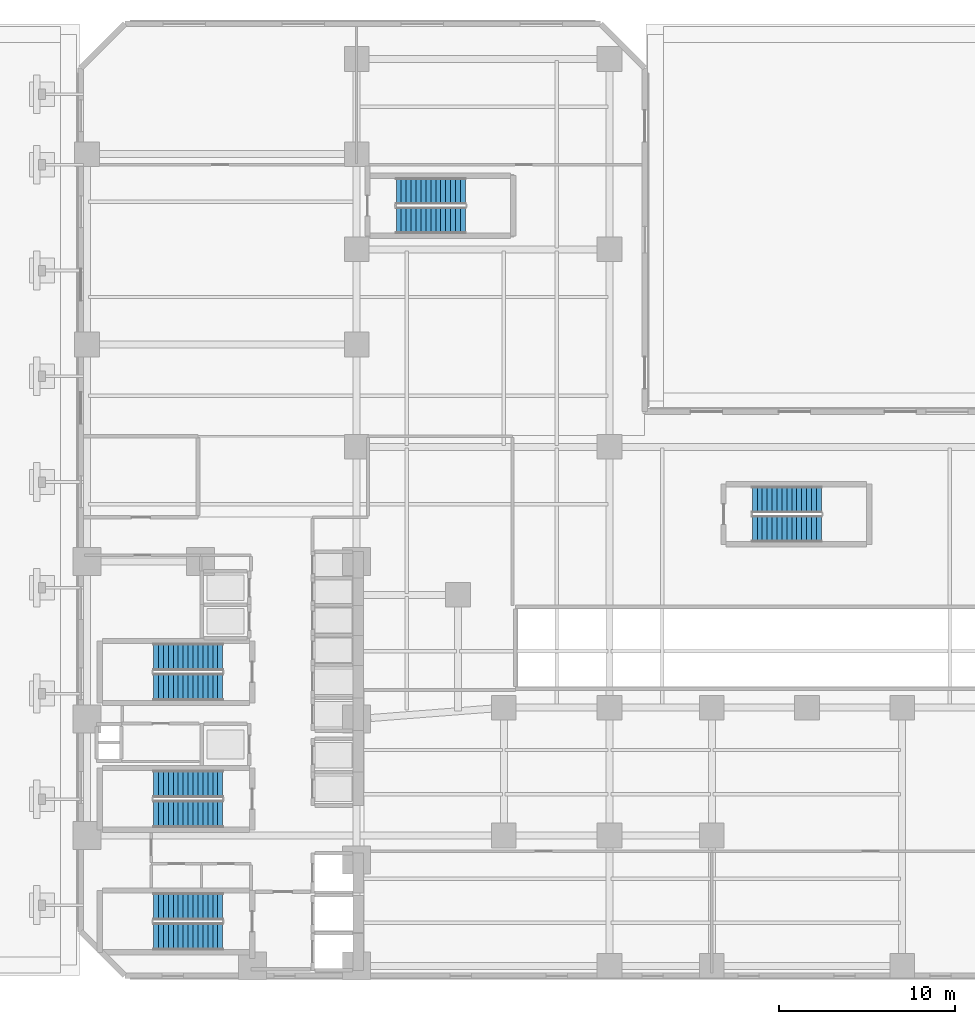
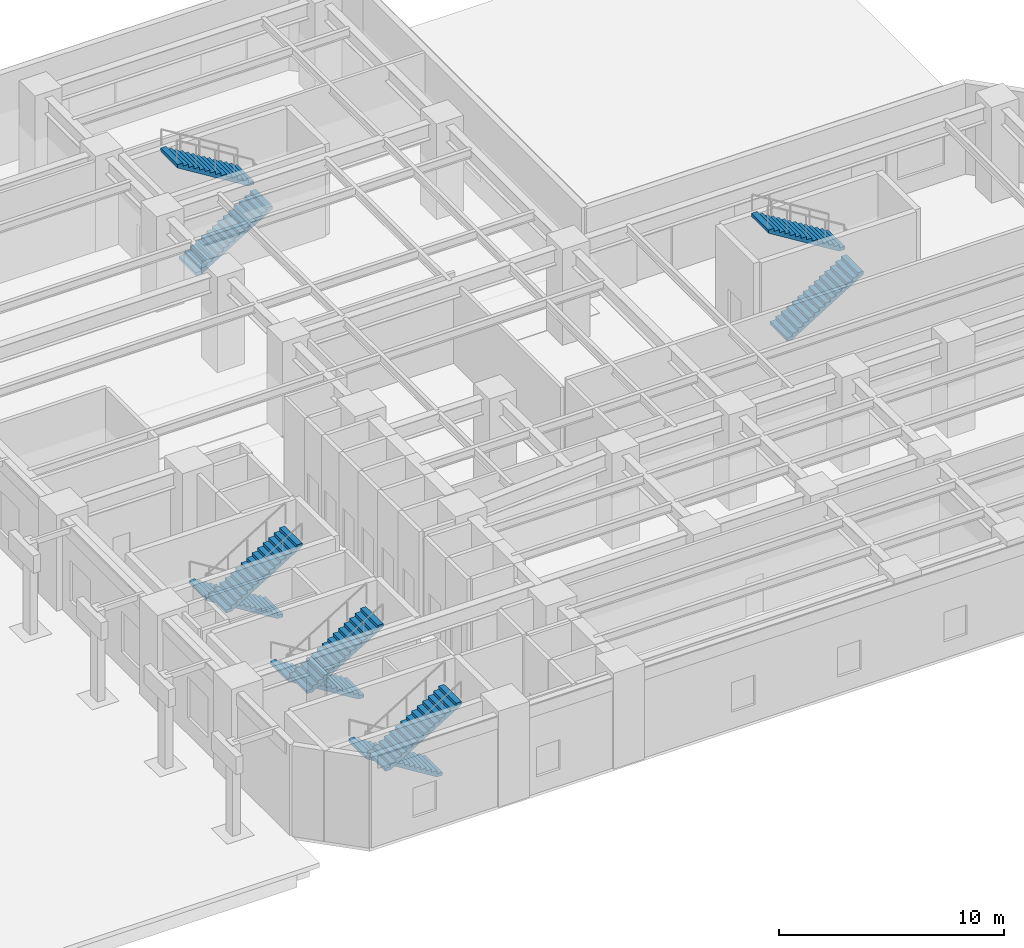
# One storey, part 7 of 14: 10 stair flights, 5 elements without a shape of their own.
"""IFC4 building model written with IfcOpenShell, lengths in metres."""

import ifcopenshell
import ifcopenshell.guid

model = None  # the IFC model being written
_history = None  # IfcOwnerHistory: only IFC2X3 demands one
_inside = {}  # id of a spatial element -> (the spatial element, [elements in it])
_under = {}  # id of a project, library or spatial element -> (it, [spatial elements below it])
_declared = {}  # id of a project -> (the project, [libraries it declares])
_typed = {}  # id of a type object -> (the type object, [elements of that type])
_made_of = {}  # id of a material, layer set ... -> (it, [elements and type objects made of it])


def new_model(schema):
    """Start an empty IFC model of exactly this schema.

    Asked for "IFC4X3", IfcOpenShell would pick the latest addendum, in which some entities
    have other attributes; the version numbers below select the first issue.
    IFC2X3 requires an IfcOwnerHistory on every rooted entity: one is made here for all.
    """
    global model, _history
    if schema == "IFC4X3":
        model = ifcopenshell.file(schema_version=(4, 3, 0, 0))
    else:
        model = ifcopenshell.file(schema=schema)
    _inside.clear()
    _under.clear()
    _declared.clear()
    _typed.clear()
    _made_of.clear()
    _history = None
    if model.schema == "IFC2X3":
        org = make("IfcOrganization", Name="unknown")
        user = make(
            "IfcPersonAndOrganization",
            ThePerson=make("IfcPerson", FamilyName="unknown"),
            TheOrganization=org,
        )
        app = make(
            "IfcApplication",
            ApplicationDeveloper=org,
            Version="unknown",
            ApplicationFullName="unknown",
            ApplicationIdentifier="unknown",
        )
        _history = make(
            "IfcOwnerHistory",
            OwningUser=user,
            OwningApplication=app,
            ChangeAction="ADDED",
            CreationDate=0,
        )
    return model


def make(cls, **values):
    """One entity of the class cls with the attributes given. An attribute that is None is left unset."""
    return model.create_entity(
        cls, **{name: value for name, value in values.items() if value is not None}
    )


def rooted(cls, **values):
    """An entity with a GlobalId (a new one), such as an element, a storey or a relation."""
    return make(cls, GlobalId=ifcopenshell.guid.new(), OwnerHistory=_history, **values)


def si_unit(unit_type, name, prefix=None):
    """IfcSIUnit, for example si_unit("LENGTHUNIT", "METRE", prefix="MILLI")."""
    return make("IfcSIUnit", UnitType=unit_type, Prefix=prefix, Name=name)


def assignment(units):
    """IfcUnitAssignment: the units of a project."""
    return None if units is None else make("IfcUnitAssignment", Units=units)


def point(xyz):
    """IfcCartesianPoint."""
    return None if xyz is None else make("IfcCartesianPoint", Coordinates=xyz)


def direction(xyz):
    """IfcDirection."""
    return None if xyz is None else make("IfcDirection", DirectionRatios=xyz)


def frame(location, z_axis=None, x_axis=None):
    """IfcAxis2Placement3D, a coordinate frame: its origin and axes. An axis left out is left unset."""
    return make(
        "IfcAxis2Placement3D",
        Location=point(location),
        Axis=direction(z_axis),
        RefDirection=direction(x_axis),
    )


def origin():
    """The frame at (0, 0, 0) with its axes left unset."""
    return frame((0.0, 0.0, 0.0))


def place(relative_to, where):
    """IfcLocalPlacement: puts the frame where relative to a parent placement (None: the world)."""
    return make(
        "IfcLocalPlacement", PlacementRelTo=relative_to, RelativePlacement=where
    )


def context(
    kind, dimensions, precision=None, world=None, true_north=None, identifier=None
):
    """IfcGeometricRepresentationContext, for example the 3D "Model" context."""
    return make(
        "IfcGeometricRepresentationContext",
        ContextIdentifier=identifier,
        ContextType=kind,
        CoordinateSpaceDimension=dimensions,
        Precision=precision,
        WorldCoordinateSystem=world,
        TrueNorth=true_north,
    )


def subcontext(parent, identifier, kind, view, scale=None):
    """IfcGeometricRepresentationSubContext, for example "Body" below "Model"."""
    return make(
        "IfcGeometricRepresentationSubContext",
        ContextIdentifier=identifier,
        ContextType=kind,
        ParentContext=parent,
        TargetScale=scale,
        TargetView=view,
    )


def project(units=None, contexts=None):
    """IfcProject with its units and contexts."""
    return rooted(
        "IfcProject",
        Name="project",
        RepresentationContexts=contexts,
        UnitsInContext=assignment(units),
    )


def spatial(cls, under=None, at=None, **own):
    """A site, building, storey or space (cls), placed at a placement, below another one or the project."""
    s = rooted(cls, ObjectPlacement=at, **own)
    if under is not None:
        _under.setdefault(under.id(), (under, []))[1].append(s)
    return s


def polyline(points):
    """IfcPolyline through the points."""
    return make("IfcPolyline", Points=[point(p) for p in points])


def outline(outer, holes=None, kind="AREA"):
    """IfcArbitraryClosedProfileDef: a profile drawn as a closed curve; with holes, ...WithVoids."""
    if holes is None:
        return make("IfcArbitraryClosedProfileDef", ProfileType=kind, OuterCurve=outer)
    return make(
        "IfcArbitraryProfileDefWithVoids",
        ProfileType=kind,
        OuterCurve=outer,
        InnerCurves=holes,
    )


def extrude(swept, where, along, depth):
    """IfcExtrudedAreaSolid: the profile swept, set in the frame where, extruded along a direction by depth."""
    return make(
        "IfcExtrudedAreaSolid",
        SweptArea=swept,
        Position=where,
        ExtrudedDirection=direction(along),
        Depth=depth,
    )


def shape(context_of_items, identifier, shape_type, items):
    """IfcShapeRepresentation: the items that make up one representation, for example the "Body"."""
    return make(
        "IfcShapeRepresentation",
        ContextOfItems=context_of_items,
        RepresentationIdentifier=identifier,
        RepresentationType=shape_type,
        Items=items,
    )


def material(Name=None, Category=None):
    """IfcMaterial."""
    return make("IfcMaterial", Name=Name, Category=Category)


def made_of(thing, what):
    """Note that an element or type object is made of a material, layer set ...; save() writes the relation."""
    if what is not None:
        _made_of.setdefault(what.id(), (what, []))[1].append(thing)
    return thing


def type_object(cls, material=None, **own):
    """A type object (cls), such as IfcWallType, which elements share."""
    return made_of(rooted(cls, **own), material)


def element(
    cls,
    number,
    at=None,
    inside=None,
    cuts=None,
    type_object=None,
    material=None,
    context=None,
    identifier="Body",
    shape_type=None,
    held_by="IfcProductDefinitionShape",
    body=None,
    shapes=None,
    **own,
):
    """One element of the class cls, such as IfcWall. Its Tag is "e" and its number.

    at: its placement. inside: the storey or other place that contains it. cuts: it is an
    opening in that element (IfcRelVoidsElement). A single representation is given by context,
    identifier, shape_type and body (its items); several are given by shapes. held_by: the class
    of the entity that holds the representations. save() writes the other relations.
    """
    e = rooted(cls, Tag="e%d" % number, ObjectPlacement=at, **own)
    if body is not None:
        shapes = [shape(context, identifier, shape_type, body)]
    if shapes is not None:
        e.Representation = make(held_by, Representations=shapes)
    if inside is not None:
        _inside.setdefault(inside.id(), (inside, []))[1].append(e)
    if cuts is not None:
        rooted(
            "IfcRelVoidsElement", RelatingBuildingElement=cuts, RelatedOpeningElement=e
        )
    if type_object is not None:
        _typed.setdefault(type_object.id(), (type_object, []))[1].append(e)
    return made_of(e, material)


def aggregate(whole, parts):
    """IfcRelAggregates: a whole, such as a stair, and the parts it consists of."""
    return rooted("IfcRelAggregates", RelatingObject=whole, RelatedObjects=parts)


def save(model, path):
    """Write the relations noted so far, then the file.

    IfcRelAggregates (storeys below a building ...), IfcRelContainedInSpatialStructure (elements
    in a storey), IfcRelDefinesByType, IfcRelAssociatesMaterial and IfcRelDeclares: one each for
    every whole, place, type object, material and project.
    """
    for whole, parts in _under.values():
        aggregate(whole, parts)
    for where, things in _inside.values():
        rooted(
            "IfcRelContainedInSpatialStructure",
            RelatedElements=things,
            RelatingStructure=where,
        )
    for kind, things in _typed.values():
        rooted("IfcRelDefinesByType", RelatedObjects=things, RelatingType=kind)
    for what, things in _made_of.values():
        rooted("IfcRelAssociatesMaterial", RelatedObjects=things, RelatingMaterial=what)
    for by, libraries in _declared.values():
        rooted("IfcRelDeclares", RelatingContext=by, RelatedDefinitions=libraries)
    model.write(path)


model = new_model("IFC4")

# Units and contexts
model_context = context("Model", 3, precision=1e-05, world=origin(), true_north=direction((0.0, 1.0)))
body_context = subcontext(model_context, "Body", "Model", "MODEL_VIEW")
ifc_project = project(units=[si_unit("LENGTHUNIT", "METRE"), si_unit("AREAUNIT", "SQUARE_METRE"), si_unit("VOLUMEUNIT", "CUBIC_METRE"), si_unit("PLANEANGLEUNIT", "RADIAN"), si_unit("MASSUNIT", "GRAM", prefix="KILO")], contexts=[model_context])

# Site, building, storey
site_placement = place(None, origin())
site = spatial("IfcSite", under=ifc_project, at=site_placement, CompositionType="ELEMENT")
building_placement = place(site_placement, origin())
building = spatial("IfcBuilding", under=site, at=building_placement, Name="Mawjaban Terraces University", CompositionType="ELEMENT")
storey_placement = place(building_placement, origin())
storey = spatial("IfcBuildingStorey", under=building, at=storey_placement, Name="L00", CompositionType="ELEMENT", Elevation=0.0)

# Stair, stair flights
ifc_material = material(Name="Concrete C40/50", Category="concrete")
stair_type_1 = type_object("IfcStairType", Name="Stair_Core1550_H52", PredefinedType="HALF_TURN_STAIR", material=ifc_material)
stair_1_placement = place(storey_placement, origin())
stair_1 = element("IfcStair", 1, at=stair_1_placement, inside=storey, type_object=stair_type_1, Name="L00 Core Exit Stair 1", PredefinedType="HALF_TURN_STAIR")
stair_flight_type_1 = type_object("IfcStairFlightType", Name="Flight_Core1550_H52", PredefinedType="STRAIGHT", material=ifc_material)
stair_flight_1_placement = place(storey_placement, frame((30.050048828125, 3.925048828125, 0.0), z_axis=(0.0, 0.0, 1.0), x_axis=(-1.0, 0.0, 0.0)))
stair_flight_1 = element("IfcStairFlight", 2, at=stair_flight_1_placement, type_object=stair_flight_type_1, Name="ST-1 flight 1", NumberOfRisers=15, NumberOfTreads=14, PredefinedType="STRAIGHT", RiserHeight=0.173333333, TreadLength=0.28, context=body_context, shape_type="SweptSolid", body=[
    extrude(outline(polyline([(0.0, 0.0), (0.0, 0.17333984375), (0.280029296875, 0.17333984375), (0.280029296875, 0.3466796875), (0.56005859375, 0.3466796875), (0.56005859375, 0.52001953125), (0.840087890625, 0.52001953125), (0.840087890625, 0.693359375), (1.1201171875, 0.693359375), (1.1201171875, 0.86669921875), (1.39990234375, 0.86669921875), (1.39990234375, 1.0400390625), (1.679931640625, 1.0400390625), (1.679931640625, 1.21337890625), (1.9599609375, 1.21337890625), (1.9599609375, 1.38671875), (2.239990234375, 1.38671875), (2.239990234375, 1.56005859375), (2.52001953125, 1.56005859375), (2.52001953125, 1.7333984375), (2.800048828125, 1.7333984375), (2.800048828125, 1.90673828125), (3.080078125, 1.90673828125), (3.080078125, 2.080078125), (3.360107421875, 2.080078125), (3.360107421875, 2.25341796875), (3.639892578125, 2.25341796875), (3.639892578125, 2.4267578125), (3.919921875, 2.4267578125), (3.919921875, 2.60009765625), (3.919921875, 2.250244140625), (0.284912109375, 0.0), (0.0, 0.0)])), frame((0.0, 0.77490234375, 0.0), z_axis=(0.0, -1.0, 0.0), x_axis=(1.0, 0.0, 0.0)), (0.0, 0.0, 1.0), 1.550048828125),
])
stair_flight_2_placement = place(storey_placement, frame((26.1298828125, 2.22509765625, 2.60009765625), z_axis=(0.0, 0.0, 1.0), x_axis=(1.0, 0.0, 0.0)))
stair_flight_2 = element("IfcStairFlight", 3, at=stair_flight_2_placement, type_object=stair_flight_type_1, Name="ST-1 flight 2", NumberOfRisers=15, NumberOfTreads=14, PredefinedType="STRAIGHT", RiserHeight=0.173333333, TreadLength=0.28, context=body_context, shape_type="SweptSolid", body=[
    extrude(outline(polyline([(0.0, 0.0), (0.0, 0.17333984375), (0.280029296875, 0.17333984375), (0.280029296875, 0.3466796875), (0.56005859375, 0.3466796875), (0.56005859375, 0.52001953125), (0.840087890625, 0.52001953125), (0.840087890625, 0.693359375), (1.1201171875, 0.693359375), (1.1201171875, 0.86669921875), (1.39990234375, 0.86669921875), (1.39990234375, 1.0400390625), (1.679931640625, 1.0400390625), (1.679931640625, 1.21337890625), (1.9599609375, 1.21337890625), (1.9599609375, 1.38671875), (2.239990234375, 1.38671875), (2.239990234375, 1.56005859375), (2.52001953125, 1.56005859375), (2.52001953125, 1.7333984375), (2.800048828125, 1.7333984375), (2.800048828125, 1.90673828125), (3.080078125, 1.90673828125), (3.080078125, 2.080078125), (3.360107421875, 2.080078125), (3.360107421875, 2.25341796875), (3.639892578125, 2.25341796875), (3.639892578125, 2.4267578125), (3.919921875, 2.4267578125), (3.919921875, 2.60009765625), (3.919921875, 2.250244140625), (0.284912109375, 0.0), (0.0, 0.0)])), frame((0.0, 0.77490234375, 0.0), z_axis=(0.0, -1.0, 0.0), x_axis=(1.0, 0.0, 0.0)), (0.0, 0.0, 1.0), 1.550048828125),
])
aggregate(stair_1, [stair_flight_1, stair_flight_2])

stair_2_placement = place(storey_placement, origin())
stair_2 = element("IfcStair", 4, at=stair_2_placement, inside=storey, type_object=stair_type_1, Name="L00 Core Exit Stair 2", PredefinedType="HALF_TURN_STAIR")
stair_flight_3_placement = place(storey_placement, frame((30.050048828125, 18.074951171875, 0.0), z_axis=(0.0, 0.0, 1.0), x_axis=(-1.0, 0.0, 0.0)))
stair_flight_3 = element("IfcStairFlight", 5, at=stair_flight_3_placement, type_object=stair_flight_type_1, Name="ST-2 flight 1", NumberOfRisers=15, NumberOfTreads=14, PredefinedType="STRAIGHT", RiserHeight=0.173333333, TreadLength=0.28, context=body_context, shape_type="SweptSolid", body=[
    extrude(outline(polyline([(0.0, 0.0), (0.0, 0.17333984375), (0.280029296875, 0.17333984375), (0.280029296875, 0.3466796875), (0.56005859375, 0.3466796875), (0.56005859375, 0.52001953125), (0.840087890625, 0.52001953125), (0.840087890625, 0.693359375), (1.1201171875, 0.693359375), (1.1201171875, 0.86669921875), (1.39990234375, 0.86669921875), (1.39990234375, 1.0400390625), (1.679931640625, 1.0400390625), (1.679931640625, 1.21337890625), (1.9599609375, 1.21337890625), (1.9599609375, 1.38671875), (2.239990234375, 1.38671875), (2.239990234375, 1.56005859375), (2.52001953125, 1.56005859375), (2.52001953125, 1.7333984375), (2.800048828125, 1.7333984375), (2.800048828125, 1.90673828125), (3.080078125, 1.90673828125), (3.080078125, 2.080078125), (3.360107421875, 2.080078125), (3.360107421875, 2.25341796875), (3.639892578125, 2.25341796875), (3.639892578125, 2.4267578125), (3.919921875, 2.4267578125), (3.919921875, 2.60009765625), (3.919921875, 2.250244140625), (0.284912109375, 0.0), (0.0, 0.0)])), frame((0.0, 0.77490234375, 0.0), z_axis=(0.0, -1.0, 0.0), x_axis=(1.0, 0.0, 0.0)), (0.0, 0.0, 1.0), 1.550048828125),
])
stair_flight_4_placement = place(storey_placement, frame((26.1298828125, 16.375, 2.60009765625), z_axis=(0.0, 0.0, 1.0), x_axis=(1.0, 0.0, 0.0)))
stair_flight_4 = element("IfcStairFlight", 6, at=stair_flight_4_placement, type_object=stair_flight_type_1, Name="ST-2 flight 2", NumberOfRisers=15, NumberOfTreads=14, PredefinedType="STRAIGHT", RiserHeight=0.173333333, TreadLength=0.28, context=body_context, shape_type="SweptSolid", body=[
    extrude(outline(polyline([(0.0, 0.0), (0.0, 0.17333984375), (0.280029296875, 0.17333984375), (0.280029296875, 0.3466796875), (0.56005859375, 0.3466796875), (0.56005859375, 0.52001953125), (0.840087890625, 0.52001953125), (0.840087890625, 0.693359375), (1.1201171875, 0.693359375), (1.1201171875, 0.86669921875), (1.39990234375, 0.86669921875), (1.39990234375, 1.0400390625), (1.679931640625, 1.0400390625), (1.679931640625, 1.21337890625), (1.9599609375, 1.21337890625), (1.9599609375, 1.38671875), (2.239990234375, 1.38671875), (2.239990234375, 1.56005859375), (2.52001953125, 1.56005859375), (2.52001953125, 1.7333984375), (2.800048828125, 1.7333984375), (2.800048828125, 1.90673828125), (3.080078125, 1.90673828125), (3.080078125, 2.080078125), (3.360107421875, 2.080078125), (3.360107421875, 2.25341796875), (3.639892578125, 2.25341796875), (3.639892578125, 2.4267578125), (3.919921875, 2.4267578125), (3.919921875, 2.60009765625), (3.919921875, 2.250244140625), (0.284912109375, 0.0), (0.0, 0.0)])), frame((0.0, 0.77490234375, 0.0), z_axis=(0.0, -1.0, 0.0), x_axis=(1.0, 0.0, 0.0)), (0.0, 0.0, 1.0), 1.550048828125),
])
aggregate(stair_2, [stair_flight_3, stair_flight_4])

stair_3_placement = place(storey_placement, origin())
stair_3 = element("IfcStair", 7, at=stair_3_placement, inside=storey, type_object=stair_type_1, Name="L00 Core Exit Stair 3", PredefinedType="HALF_TURN_STAIR")
stair_flight_5_placement = place(storey_placement, frame((30.050048828125, 10.875, 0.0), z_axis=(0.0, 0.0, 1.0), x_axis=(-1.0, 0.0, 0.0)))
stair_flight_5 = element("IfcStairFlight", 8, at=stair_flight_5_placement, type_object=stair_flight_type_1, Name="ST-3 flight 1", NumberOfRisers=15, NumberOfTreads=14, PredefinedType="STRAIGHT", RiserHeight=0.173333333, TreadLength=0.28, context=body_context, shape_type="SweptSolid", body=[
    extrude(outline(polyline([(0.0, 0.0), (0.0, 0.17333984375), (0.280029296875, 0.17333984375), (0.280029296875, 0.3466796875), (0.56005859375, 0.3466796875), (0.56005859375, 0.52001953125), (0.840087890625, 0.52001953125), (0.840087890625, 0.693359375), (1.1201171875, 0.693359375), (1.1201171875, 0.86669921875), (1.39990234375, 0.86669921875), (1.39990234375, 1.0400390625), (1.679931640625, 1.0400390625), (1.679931640625, 1.21337890625), (1.9599609375, 1.21337890625), (1.9599609375, 1.38671875), (2.239990234375, 1.38671875), (2.239990234375, 1.56005859375), (2.52001953125, 1.56005859375), (2.52001953125, 1.7333984375), (2.800048828125, 1.7333984375), (2.800048828125, 1.90673828125), (3.080078125, 1.90673828125), (3.080078125, 2.080078125), (3.360107421875, 2.080078125), (3.360107421875, 2.25341796875), (3.639892578125, 2.25341796875), (3.639892578125, 2.4267578125), (3.919921875, 2.4267578125), (3.919921875, 2.60009765625), (3.919921875, 2.250244140625), (0.284912109375, 0.0), (0.0, 0.0)])), frame((0.0, 0.77490234375, 0.0), z_axis=(0.0, -1.0, 0.0), x_axis=(1.0, 0.0, 0.0)), (0.0, 0.0, 1.0), 1.550048828125),
])
stair_flight_6_placement = place(storey_placement, frame((26.1298828125, 9.175048828125, 2.60009765625), z_axis=(0.0, 0.0, 1.0), x_axis=(1.0, 0.0, 0.0)))
stair_flight_6 = element("IfcStairFlight", 9, at=stair_flight_6_placement, type_object=stair_flight_type_1, Name="ST-3 flight 2", NumberOfRisers=15, NumberOfTreads=14, PredefinedType="STRAIGHT", RiserHeight=0.173333333, TreadLength=0.28, context=body_context, shape_type="SweptSolid", body=[
    extrude(outline(polyline([(0.0, 0.0), (0.0, 0.17333984375), (0.280029296875, 0.17333984375), (0.280029296875, 0.3466796875), (0.56005859375, 0.3466796875), (0.56005859375, 0.52001953125), (0.840087890625, 0.52001953125), (0.840087890625, 0.693359375), (1.1201171875, 0.693359375), (1.1201171875, 0.86669921875), (1.39990234375, 0.86669921875), (1.39990234375, 1.0400390625), (1.679931640625, 1.0400390625), (1.679931640625, 1.21337890625), (1.9599609375, 1.21337890625), (1.9599609375, 1.38671875), (2.239990234375, 1.38671875), (2.239990234375, 1.56005859375), (2.52001953125, 1.56005859375), (2.52001953125, 1.7333984375), (2.800048828125, 1.7333984375), (2.800048828125, 1.90673828125), (3.080078125, 1.90673828125), (3.080078125, 2.080078125), (3.360107421875, 2.080078125), (3.360107421875, 2.25341796875), (3.639892578125, 2.25341796875), (3.639892578125, 2.4267578125), (3.919921875, 2.4267578125), (3.919921875, 2.60009765625), (3.919921875, 2.250244140625), (0.284912109375, 0.0), (0.0, 0.0)])), frame((0.0, 0.77490234375, 0.0), z_axis=(0.0, -1.0, 0.0), x_axis=(1.0, 0.0, 0.0)), (0.0, 0.0, 1.0), 1.550048828125),
])
aggregate(stair_3, [stair_flight_5, stair_flight_6])

stair_type_2 = type_object("IfcStairType", Name="Stair_Pod1500_H52", PredefinedType="HALF_TURN_STAIR", material=ifc_material)
stair_4_placement = place(storey_placement, origin())
stair_4 = element("IfcStair", 10, at=stair_4_placement, inside=storey, type_object=stair_type_2, Name="L00 Podium North Exit Stair 4", PredefinedType="HALF_TURN_STAIR")
stair_flight_type_2 = type_object("IfcStairFlightType", Name="Flight_Pod1500_H52", PredefinedType="STRAIGHT", material=ifc_material)
stair_flight_7_placement = place(storey_placement, frame((39.89990234375, 42.85009765625, 0.0), z_axis=(0.0, 0.0, 1.0), x_axis=(1.0, 0.0, 0.0)))
stair_flight_7 = element("IfcStairFlight", 11, at=stair_flight_7_placement, type_object=stair_flight_type_2, Name="ST-4 flight 1", NumberOfRisers=15, NumberOfTreads=14, PredefinedType="STRAIGHT", RiserHeight=0.173333333, TreadLength=0.28, context=body_context, shape_type="SweptSolid", body=[
    extrude(outline(polyline([(0.0, 0.0), (0.0, 0.17333984375), (0.280029296875, 0.17333984375), (0.280029296875, 0.3466796875), (0.56005859375, 0.3466796875), (0.56005859375, 0.52001953125), (0.840087890625, 0.52001953125), (0.840087890625, 0.693359375), (1.1201171875, 0.693359375), (1.1201171875, 0.86669921875), (1.39990234375, 0.86669921875), (1.39990234375, 1.0400390625), (1.679931640625, 1.0400390625), (1.679931640625, 1.21337890625), (1.9599609375, 1.21337890625), (1.9599609375, 1.38671875), (2.239990234375, 1.38671875), (2.239990234375, 1.56005859375), (2.52001953125, 1.56005859375), (2.52001953125, 1.7333984375), (2.800048828125, 1.7333984375), (2.800048828125, 1.90673828125), (3.080078125, 1.90673828125), (3.080078125, 2.080078125), (3.360107421875, 2.080078125), (3.360107421875, 2.25341796875), (3.639892578125, 2.25341796875), (3.639892578125, 2.4267578125), (3.919921875, 2.4267578125), (3.919921875, 2.60009765625), (3.919921875, 2.250244140625), (0.284912109375, 0.0), (0.0, 0.0)])), frame((0.0, 0.75, 0.0), z_axis=(0.0, -1.0, 0.0), x_axis=(1.0, 0.0, 0.0)), (0.0, 0.0, 1.0), 1.5),
])
stair_flight_8_placement = place(storey_placement, frame((43.820068359375, 44.5, 2.60009765625), z_axis=(0.0, 0.0, 1.0), x_axis=(-1.0, 0.0, 0.0)))
stair_flight_8 = element("IfcStairFlight", 12, at=stair_flight_8_placement, type_object=stair_flight_type_2, Name="ST-4 flight 2", NumberOfRisers=15, NumberOfTreads=14, PredefinedType="STRAIGHT", RiserHeight=0.173333333, TreadLength=0.28, context=body_context, shape_type="SweptSolid", body=[
    extrude(outline(polyline([(0.0, 0.0), (0.0, 0.17333984375), (0.280029296875, 0.17333984375), (0.280029296875, 0.3466796875), (0.56005859375, 0.3466796875), (0.56005859375, 0.52001953125), (0.840087890625, 0.52001953125), (0.840087890625, 0.693359375), (1.1201171875, 0.693359375), (1.1201171875, 0.86669921875), (1.39990234375, 0.86669921875), (1.39990234375, 1.0400390625), (1.679931640625, 1.0400390625), (1.679931640625, 1.21337890625), (1.9599609375, 1.21337890625), (1.9599609375, 1.38671875), (2.239990234375, 1.38671875), (2.239990234375, 1.56005859375), (2.52001953125, 1.56005859375), (2.52001953125, 1.7333984375), (2.800048828125, 1.7333984375), (2.800048828125, 1.90673828125), (3.080078125, 1.90673828125), (3.080078125, 2.080078125), (3.360107421875, 2.080078125), (3.360107421875, 2.25341796875), (3.639892578125, 2.25341796875), (3.639892578125, 2.4267578125), (3.919921875, 2.4267578125), (3.919921875, 2.60009765625), (3.919921875, 2.250244140625), (0.284912109375, 0.0), (0.0, 0.0)])), frame((0.0, 0.75, 0.0), z_axis=(0.0, -1.0, 0.0), x_axis=(1.0, 0.0, 0.0)), (0.0, 0.0, 1.0), 1.5),
])
aggregate(stair_4, [stair_flight_7, stair_flight_8])

stair_5_placement = place(storey_placement, origin())
stair_5 = element("IfcStair", 13, at=stair_5_placement, inside=storey, type_object=stair_type_2, Name="L00 Podium East Exit Stair 5", PredefinedType="HALF_TURN_STAIR")
stair_flight_9_placement = place(storey_placement, frame((60.10009765625, 25.35009765625, 0.0), z_axis=(0.0, 0.0, 1.0), x_axis=(1.0, 0.0, 0.0)))
stair_flight_9 = element("IfcStairFlight", 14, at=stair_flight_9_placement, type_object=stair_flight_type_2, Name="ST-5 flight 1", NumberOfRisers=15, NumberOfTreads=14, PredefinedType="STRAIGHT", RiserHeight=0.173333333, TreadLength=0.28, context=body_context, shape_type="SweptSolid", body=[
    extrude(outline(polyline([(0.0, 0.0), (0.0, 0.17333984375), (0.280029296875, 0.17333984375), (0.280029296875, 0.3466796875), (0.56005859375, 0.3466796875), (0.56005859375, 0.52001953125), (0.840087890625, 0.52001953125), (0.840087890625, 0.693359375), (1.1201171875, 0.693359375), (1.1201171875, 0.86669921875), (1.39990234375, 0.86669921875), (1.39990234375, 1.0400390625), (1.679931640625, 1.0400390625), (1.679931640625, 1.21337890625), (1.9599609375, 1.21337890625), (1.9599609375, 1.38671875), (2.239990234375, 1.38671875), (2.239990234375, 1.56005859375), (2.52001953125, 1.56005859375), (2.52001953125, 1.7333984375), (2.800048828125, 1.7333984375), (2.800048828125, 1.90673828125), (3.080078125, 1.90673828125), (3.080078125, 2.080078125), (3.360107421875, 2.080078125), (3.360107421875, 2.25341796875), (3.639892578125, 2.25341796875), (3.639892578125, 2.4267578125), (3.919921875, 2.4267578125), (3.919921875, 2.60009765625), (3.919921875, 2.250244140625), (0.284912109375, 0.0), (0.0, 0.0)])), frame((0.0, 0.75, 0.0), z_axis=(0.0, -1.0, 0.0), x_axis=(1.0, 0.0, 0.0)), (0.0, 0.0, 1.0), 1.5),
])
stair_flight_10_placement = place(storey_placement, frame((64.02001953125, 27.0, 2.60009765625), z_axis=(0.0, 0.0, 1.0), x_axis=(-1.0, 0.0, 0.0)))
stair_flight_10 = element("IfcStairFlight", 15, at=stair_flight_10_placement, type_object=stair_flight_type_2, Name="ST-5 flight 2", NumberOfRisers=15, NumberOfTreads=14, PredefinedType="STRAIGHT", RiserHeight=0.173333333, TreadLength=0.28, context=body_context, shape_type="SweptSolid", body=[
    extrude(outline(polyline([(0.0, 0.0), (0.0, 0.17333984375), (0.280029296875, 0.17333984375), (0.280029296875, 0.3466796875), (0.56005859375, 0.3466796875), (0.56005859375, 0.52001953125), (0.840087890625, 0.52001953125), (0.840087890625, 0.693359375), (1.1201171875, 0.693359375), (1.1201171875, 0.86669921875), (1.39990234375, 0.86669921875), (1.39990234375, 1.0400390625), (1.679931640625, 1.0400390625), (1.679931640625, 1.21337890625), (1.9599609375, 1.21337890625), (1.9599609375, 1.38671875), (2.239990234375, 1.38671875), (2.239990234375, 1.56005859375), (2.52001953125, 1.56005859375), (2.52001953125, 1.7333984375), (2.800048828125, 1.7333984375), (2.800048828125, 1.90673828125), (3.080078125, 1.90673828125), (3.080078125, 2.080078125), (3.360107421875, 2.080078125), (3.360107421875, 2.25341796875), (3.639892578125, 2.25341796875), (3.639892578125, 2.4267578125), (3.919921875, 2.4267578125), (3.919921875, 2.60009765625), (3.919921875, 2.250244140625), (0.284912109375, 0.0), (0.0, 0.0)])), frame((0.0, 0.75, 0.0), z_axis=(0.0, -1.0, 0.0), x_axis=(1.0, 0.0, 0.0)), (0.0, 0.0, 1.0), 1.5),
])
aggregate(stair_5, [stair_flight_9, stair_flight_10])

save(model, "model.ifc")
